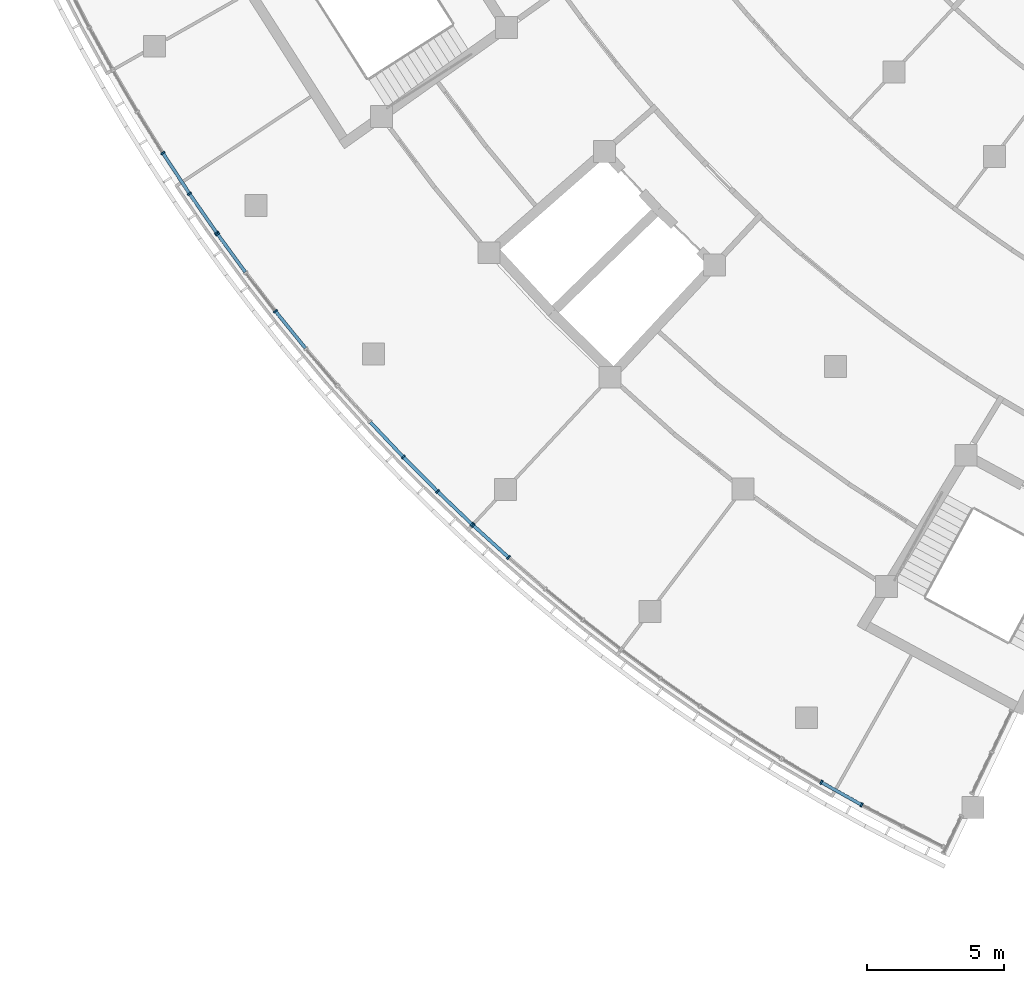
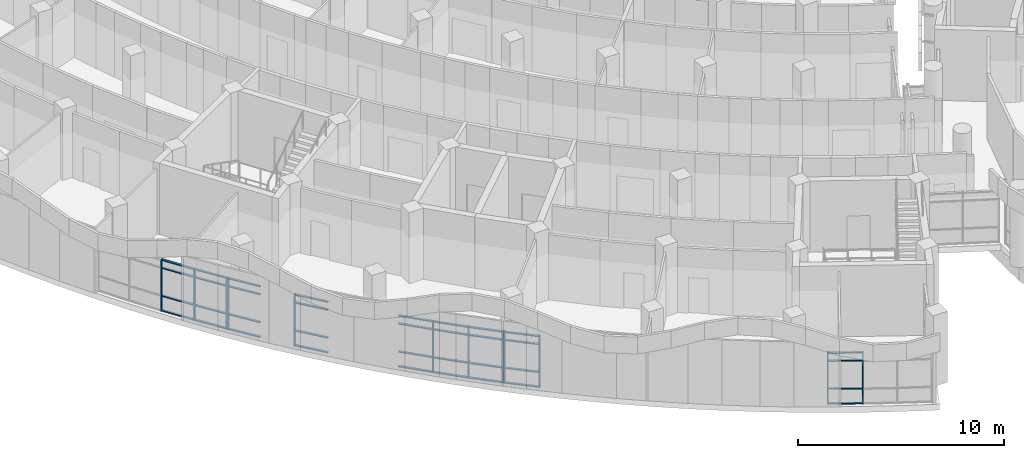
# One storey, part 5 of 109: 48 members, 5 elements without a shape of their own.
"""IFC4 building model written with IfcOpenShell, lengths in metres."""

from ifc_helpers import new_model, si_unit, direction, frame, origin, origin_2d, place, context, subcontext, project, spatial, rectangle, extrude, material, material_profile, profile_set, type_object, element, aggregate, save


model = new_model("IFC4")

# Units and contexts
model_context = context("Model", 3, precision=1e-05, world=origin(), true_north=direction((0.0, 1.0)))
body_context = subcontext(model_context, "Body", "Model", "MODEL_VIEW")
ifc_project = project(units=[si_unit("LENGTHUNIT", "METRE"), si_unit("AREAUNIT", "SQUARE_METRE"), si_unit("VOLUMEUNIT", "CUBIC_METRE"), si_unit("PLANEANGLEUNIT", "RADIAN"), si_unit("MASSUNIT", "GRAM", prefix="KILO")], contexts=[model_context])

# Site, building, storey
site_placement = place(None, origin())
site = spatial("IfcSite", under=ifc_project, at=site_placement, CompositionType="ELEMENT")
building_placement = place(site_placement, origin())
building = spatial("IfcBuilding", under=site, at=building_placement, Name="Bougainvillea Quay General Hospital", CompositionType="ELEMENT")
storey_placement = place(building_placement, frame((0.0, 0.0, 12.60009765625)))
storey = spatial("IfcBuildingStorey", under=building, at=storey_placement, Name="L02", CompositionType="ELEMENT", Elevation=12.60009765625)

# Curtain wall, members
ifc_material_1 = material(Name="Aluminium curtain wall system, powder-coated glazed", Category="aluminium")
curtain_wall_type = type_object("IfcCurtainWallType", Name="Unitised curtain wall CW-2100", PredefinedType="NOTDEFINED", material=ifc_material_1)
curtain_wall_1_placement = place(storey_placement, origin())
curtain_wall_1 = element("IfcCurtainWall", 1, at=curtain_wall_1_placement, inside=storey, type_object=curtain_wall_type, Name="CW-W01 a01b0", PredefinedType="NOTDEFINED")
ifc_material_2 = material(Name="Aluminium mullion, powder-coated charcoal", Category="aluminium")
ifc_material_profile_1 = material_profile(ifc_material_2, rectangle(XDim=0.159912109375, YDim=0.06005859375, at=origin_2d()))
ifc_profile_set_1 = profile_set([ifc_material_profile_1], Name="Aluminium mullion, powder-coated charcoal")
member_type_1 = type_object("IfcMemberType", Name="Curtain wall mullion 160x60", PredefinedType="MULLION", material=ifc_profile_set_1)
member_1_placement = place(storey_placement, frame((75.869873046875, 64.728759765625, 0.0), z_axis=(0.0, 0.0, 1.0), x_axis=(-0.477852269892, -0.878440213195, 0.0)))
member_1 = element("IfcMember", 2, at=member_1_placement, type_object=member_type_1, Name="CW-W01 mullion 3", PredefinedType="MULLION", context=body_context, shape_type="SweptSolid", body=[
    extrude(rectangle(XDim=0.159912109375, YDim=0.06005859375, at=origin_2d()), origin(), (0.0, 0.0, 1.0), 3.0498046875),
])
member_2_placement = place(storey_placement, frame((74.400390625, 65.55126953125, 0.0), z_axis=(0.0, 0.0, 1.0), x_axis=(-0.498920583541, -0.866647708887, 0.0)))
member_2 = element("IfcMember", 3, at=member_2_placement, type_object=member_type_1, Name="CW-W01 mullion 4", PredefinedType="MULLION", context=body_context, shape_type="SweptSolid", body=[
    extrude(rectangle(XDim=0.159912109375, YDim=0.06005859375, at=origin_2d()), origin(), (0.0, 0.0, 1.0), 3.0498046875),
])

curtain_wall_2_placement = place(storey_placement, origin())
curtain_wall_2 = element("IfcCurtainWall", 4, at=curtain_wall_2_placement, inside=storey, type_object=curtain_wall_type, Name="CW-W03 a01b2", PredefinedType="NOTDEFINED")
member_3_placement = place(storey_placement, frame((62.997802734375, 73.74658203125, 0.0), z_axis=(0.0, 0.0, 1.0), x_axis=(-0.662397799417, -0.749152291145, 0.0)))
member_3 = element("IfcMember", 5, at=member_3_placement, type_object=member_type_1, Name="CW-W03 mullion 4", PredefinedType="MULLION", context=body_context, shape_type="SweptSolid", body=[
    extrude(rectangle(XDim=0.159912109375, YDim=0.06005859375, at=origin_2d()), origin(), (0.0, 0.0, 1.0), 3.0498046875),
])
member_4_placement = place(storey_placement, frame((61.7099609375, 74.914794921875, 0.0), z_axis=(0.0, 0.0, 1.0), x_axis=(-0.671843410143, -0.740693210613, 0.0)))
member_4 = element("IfcMember", 6, at=member_4_placement, type_object=member_type_1, Name="CW-W03 mullion 5", PredefinedType="MULLION", context=body_context, shape_type="SweptSolid", body=[
    extrude(rectangle(XDim=0.159912109375, YDim=0.06005859375, at=origin_2d()), origin(), (0.0, 0.0, 1.0), 3.0498046875),
])

curtain_wall_3_placement = place(storey_placement, origin())
curtain_wall_3 = element("IfcCurtainWall", 7, at=curtain_wall_3_placement, inside=storey, type_object=curtain_wall_type, Name="CW-W04 a01b3", PredefinedType="NOTDEFINED")
member_5_placement = place(storey_placement, frame((61.666015625, 74.955810546875, 0.0), z_axis=(0.0, 0.0, 1.0), x_axis=(-0.690409082244, -0.72341917251, 0.0)))
member_5 = element("IfcMember", 8, at=member_5_placement, type_object=member_type_1, Name="CW-W04 mullion 1", PredefinedType="MULLION", context=body_context, shape_type="SweptSolid", body=[
    extrude(rectangle(XDim=0.159912109375, YDim=0.06005859375, at=origin_2d()), origin(), (0.0, 0.0, 1.0), 3.0498046875),
])
member_6_placement = place(storey_placement, frame((60.407958984375, 76.15625, 0.0), z_axis=(0.0, 0.0, 1.0), x_axis=(-0.699526158712, -0.714606992183, 0.0)))
member_6 = element("IfcMember", 9, at=member_6_placement, type_object=member_type_1, Name="CW-W04 mullion 2", PredefinedType="MULLION", context=body_context, shape_type="SweptSolid", body=[
    extrude(rectangle(XDim=0.159912109375, YDim=0.06005859375, at=origin_2d()), origin(), (0.0, 0.0, 1.0), 3.0498046875),
])
member_7_placement = place(storey_placement, frame((59.159912109375, 77.409423828125, 0.0), z_axis=(0.0, 0.0, 1.0), x_axis=(-0.717421463702, -0.69663939267, 0.0)))
member_7 = element("IfcMember", 10, at=member_7_placement, type_object=member_type_1, Name="CW-W04 mullion 3", PredefinedType="MULLION", context=body_context, shape_type="SweptSolid", body=[
    extrude(rectangle(XDim=0.159912109375, YDim=0.06005859375, at=origin_2d()), origin(), (0.0, 0.0, 1.0), 3.0498046875),
])

curtain_wall_4_placement = place(storey_placement, origin())
curtain_wall_4 = element("IfcCurtainWall", 11, at=curtain_wall_4_placement, inside=storey, type_object=curtain_wall_type, Name="CW-W05 a01b4", PredefinedType="NOTDEFINED")
member_8_placement = place(storey_placement, frame((54.49658203125, 82.7265625, 0.0), z_axis=(0.0, 0.0, 1.0), x_axis=(-0.784278527167, -0.620408890833, 0.0)))
member_8 = element("IfcMember", 12, at=member_8_placement, type_object=member_type_1, Name="CW-W05 mullion 3", PredefinedType="MULLION", context=body_context, shape_type="SweptSolid", body=[
    extrude(rectangle(XDim=0.159912109375, YDim=0.06005859375, at=origin_2d()), origin(), (0.0, 0.0, 1.0), 3.0498046875),
])
member_9_placement = place(storey_placement, frame((52.390869140625, 85.53125, 0.0), z_axis=(0.0, 0.0, 1.0), x_axis=(-0.807305492643, -0.590133748864, 0.0)))
member_9 = element("IfcMember", 13, at=member_9_placement, type_object=member_type_1, Name="CW-W05 mullion 5", PredefinedType="MULLION", context=body_context, shape_type="SweptSolid", body=[
    extrude(rectangle(XDim=0.159912109375, YDim=0.06005859375, at=origin_2d()), origin(), (0.0, 0.0, 1.0), 3.0498046875),
])

curtain_wall_5_placement = place(storey_placement, origin())
curtain_wall_5 = element("IfcCurtainWall", 14, at=curtain_wall_5_placement, inside=storey, type_object=curtain_wall_type, Name="CW-W06 a01b5", PredefinedType="NOTDEFINED")
member_10_placement = place(storey_placement, frame((52.35595703125, 85.580078125, 0.0), z_axis=(0.0, 0.0, 1.0), x_axis=(-0.822009884883, -0.569473220753, 0.0)))
member_10 = element("IfcMember", 15, at=member_10_placement, type_object=member_type_1, Name="CW-W06 mullion 1", PredefinedType="MULLION", context=body_context, shape_type="SweptSolid", body=[
    extrude(rectangle(XDim=0.159912109375, YDim=0.06005859375, at=origin_2d()), origin(), (0.0, 0.0, 1.0), 3.0498046875),
])
member_11_placement = place(storey_placement, frame((51.36572265625, 87.009521484375, 0.0), z_axis=(0.0, 0.0, 1.0), x_axis=(-0.82916442806, -0.55900478642, 0.0)))
member_11 = element("IfcMember", 16, at=member_11_placement, type_object=member_type_1, Name="CW-W06 mullion 2", PredefinedType="MULLION", context=body_context, shape_type="SweptSolid", body=[
    extrude(rectangle(XDim=0.159912109375, YDim=0.06005859375, at=origin_2d()), origin(), (0.0, 0.0, 1.0), 3.0498046875),
])
member_12_placement = place(storey_placement, frame((50.395751953125, 88.488525390625, 0.0), z_axis=(0.0, 0.0, 1.0), x_axis=(-0.843072457331, -0.537799992275, 0.0)))
member_12 = element("IfcMember", 17, at=member_12_placement, type_object=member_type_1, Name="CW-W06 mullion 3", PredefinedType="MULLION", context=body_context, shape_type="SweptSolid", body=[
    extrude(rectangle(XDim=0.159912109375, YDim=0.06005859375, at=origin_2d()), origin(), (0.0, 0.0, 1.0), 3.0498046875),
])

# Member
ifc_material_3 = material(Name="Aluminium transom, powder-coated charcoal", Category="aluminium")
ifc_material_profile_2 = material_profile(ifc_material_3, rectangle(XDim=0.1201171875, YDim=0.06005859375, at=origin_2d()))
ifc_profile_set_2 = profile_set([ifc_material_profile_2], Name="Aluminium transom, powder-coated charcoal")
member_type_2 = type_object("IfcMemberType", Name="Curtain wall transom 120x60", PredefinedType="USERDEFINED", material=ifc_profile_set_2)
member_13_placement = place(storey_placement, frame((75.84375, 64.743408203125, 0.02978515625), z_axis=(-0.872621342538, 0.48839737156, 0.0), x_axis=(-0.48839737156, -0.872621342538, 0.0)))
member_13 = element("IfcMember", 18, at=member_13_placement, type_object=member_type_2, Name="CW-W01 transom 3.1", ObjectType="TRANSOM", PredefinedType="USERDEFINED", context=body_context, shape_type="SweptSolid", body=[
    extrude(rectangle(XDim=0.1201171875, YDim=0.06005859375, at=origin_2d()), origin(), (0.0, 0.0, 1.0), 1.6240234375),
])

member_14_placement = place(storey_placement, frame((75.84375, 64.743408203125, 0.89990234375), z_axis=(-0.872621342538, 0.48839737156, 0.0), x_axis=(-0.48839737156, -0.872621342538, 0.0)))
member_14 = element("IfcMember", 19, at=member_14_placement, type_object=member_type_2, Name="CW-W01 transom 3.2", ObjectType="TRANSOM", PredefinedType="USERDEFINED", context=body_context, shape_type="SweptSolid", body=[
    extrude(rectangle(XDim=0.1201171875, YDim=0.06005859375, at=origin_2d()), origin(), (0.0, 0.0, 1.0), 1.6240234375),
])

member_15_placement = place(storey_placement, frame((75.84375, 64.743408203125, 2.5498046875), z_axis=(-0.872621342538, 0.48839737156, 0.0), x_axis=(-0.48839737156, -0.872621342538, 0.0)))
member_15 = element("IfcMember", 20, at=member_15_placement, type_object=member_type_2, Name="CW-W01 transom 3.3", ObjectType="TRANSOM", PredefinedType="USERDEFINED", context=body_context, shape_type="SweptSolid", body=[
    extrude(rectangle(XDim=0.1201171875, YDim=0.06005859375, at=origin_2d()), origin(), (0.0, 0.0, 1.0), 1.6240234375),
])

member_16_placement = place(storey_placement, frame((75.84375, 64.743408203125, 3.02001953125), z_axis=(-0.872621342538, 0.48839737156, 0.0), x_axis=(-0.48839737156, -0.872621342538, 0.0)))
member_16 = element("IfcMember", 21, at=member_16_placement, type_object=member_type_2, Name="CW-W01 transom 3.4", ObjectType="TRANSOM", PredefinedType="USERDEFINED", context=body_context, shape_type="SweptSolid", body=[
    extrude(rectangle(XDim=0.1201171875, YDim=0.06005859375, at=origin_2d()), origin(), (0.0, 0.0, 1.0), 1.6240234375),
])

aggregate(curtain_wall_1, [member_1, member_2, member_13, member_14, member_15, member_16])

member_17_placement = place(storey_placement, frame((62.9755859375, 73.766845703125, 0.02978515625), z_axis=(-0.740663493484, 0.671876171195, 0.0), x_axis=(-0.671876171195, -0.740663493484, 0.0)))
member_17 = element("IfcMember", 22, at=member_17_placement, type_object=member_type_2, Name="CW-W03 transom 4.1", ObjectType="TRANSOM", PredefinedType="USERDEFINED", context=body_context, shape_type="SweptSolid", body=[
    extrude(rectangle(XDim=0.1201171875, YDim=0.06005859375, at=origin_2d()), origin(), (0.0, 0.0, 1.0), 1.6787109375),
])

member_18_placement = place(storey_placement, frame((62.9755859375, 73.766845703125, 0.89990234375), z_axis=(-0.740663493484, 0.671876171195, 0.0), x_axis=(-0.671876171195, -0.740663493484, 0.0)))
member_18 = element("IfcMember", 23, at=member_18_placement, type_object=member_type_2, Name="CW-W03 transom 4.2", ObjectType="TRANSOM", PredefinedType="USERDEFINED", context=body_context, shape_type="SweptSolid", body=[
    extrude(rectangle(XDim=0.1201171875, YDim=0.06005859375, at=origin_2d()), origin(), (0.0, 0.0, 1.0), 1.6787109375),
])

member_19_placement = place(storey_placement, frame((62.9755859375, 73.766845703125, 2.5498046875), z_axis=(-0.740663493484, 0.671876171195, 0.0), x_axis=(-0.671876171195, -0.740663493484, 0.0)))
member_19 = element("IfcMember", 24, at=member_19_placement, type_object=member_type_2, Name="CW-W03 transom 4.3", ObjectType="TRANSOM", PredefinedType="USERDEFINED", context=body_context, shape_type="SweptSolid", body=[
    extrude(rectangle(XDim=0.1201171875, YDim=0.06005859375, at=origin_2d()), origin(), (0.0, 0.0, 1.0), 1.6787109375),
])

member_20_placement = place(storey_placement, frame((62.9755859375, 73.766845703125, 3.02001953125), z_axis=(-0.740663493484, 0.671876171195, 0.0), x_axis=(-0.671876171195, -0.740663493484, 0.0)))
member_20 = element("IfcMember", 25, at=member_20_placement, type_object=member_type_2, Name="CW-W03 transom 4.4", ObjectType="TRANSOM", PredefinedType="USERDEFINED", context=body_context, shape_type="SweptSolid", body=[
    extrude(rectangle(XDim=0.1201171875, YDim=0.06005859375, at=origin_2d()), origin(), (0.0, 0.0, 1.0), 1.6787109375),
])

aggregate(curtain_wall_2, [member_3, member_4, member_17, member_18, member_19, member_20])

member_21_placement = place(storey_placement, frame((61.644287109375, 74.976318359375, 0.02978515625), z_axis=(-0.723418264264, 0.690410033914, 0.0), x_axis=(-0.690410033914, -0.723418264264, 0.0)))
member_21 = element("IfcMember", 26, at=member_21_placement, type_object=member_type_2, Name="CW-W04 transom 1.1", ObjectType="TRANSOM", PredefinedType="USERDEFINED", context=body_context, shape_type="SweptSolid", body=[
    extrude(rectangle(XDim=0.1201171875, YDim=0.06005859375, at=origin_2d()), origin(), (0.0, 0.0, 1.0), 1.678955078125),
])

member_22_placement = place(storey_placement, frame((61.644287109375, 74.976318359375, 0.89990234375), z_axis=(-0.723418264264, 0.690410033914, 0.0), x_axis=(-0.690410033914, -0.723418264264, 0.0)))
member_22 = element("IfcMember", 27, at=member_22_placement, type_object=member_type_2, Name="CW-W04 transom 1.2", ObjectType="TRANSOM", PredefinedType="USERDEFINED", context=body_context, shape_type="SweptSolid", body=[
    extrude(rectangle(XDim=0.1201171875, YDim=0.06005859375, at=origin_2d()), origin(), (0.0, 0.0, 1.0), 1.678955078125),
])

member_23_placement = place(storey_placement, frame((61.644287109375, 74.976318359375, 2.5498046875), z_axis=(-0.723418264264, 0.690410033914, 0.0), x_axis=(-0.690410033914, -0.723418264264, 0.0)))
member_23 = element("IfcMember", 28, at=member_23_placement, type_object=member_type_2, Name="CW-W04 transom 1.3", ObjectType="TRANSOM", PredefinedType="USERDEFINED", context=body_context, shape_type="SweptSolid", body=[
    extrude(rectangle(XDim=0.1201171875, YDim=0.06005859375, at=origin_2d()), origin(), (0.0, 0.0, 1.0), 1.678955078125),
])

member_24_placement = place(storey_placement, frame((61.644287109375, 74.976318359375, 3.02001953125), z_axis=(-0.723418264264, 0.690410033914, 0.0), x_axis=(-0.690410033914, -0.723418264264, 0.0)))
member_24 = element("IfcMember", 29, at=member_24_placement, type_object=member_type_2, Name="CW-W04 transom 1.4", ObjectType="TRANSOM", PredefinedType="USERDEFINED", context=body_context, shape_type="SweptSolid", body=[
    extrude(rectangle(XDim=0.1201171875, YDim=0.06005859375, at=origin_2d()), origin(), (0.0, 0.0, 1.0), 1.678955078125),
])

member_25_placement = place(storey_placement, frame((60.386962890625, 76.177490234375, 0.02978515625), z_axis=(-0.705676553405, 0.708534121955, 0.0), x_axis=(-0.708534121955, -0.705676553405, 0.0)))
member_25 = element("IfcMember", 30, at=member_25_placement, type_object=member_type_2, Name="CW-W04 transom 2.1", ObjectType="TRANSOM", PredefinedType="USERDEFINED", context=body_context, shape_type="SweptSolid", body=[
    extrude(rectangle(XDim=0.1201171875, YDim=0.06005859375, at=origin_2d()), origin(), (0.0, 0.0, 1.0), 1.708740234375),
])

member_26_placement = place(storey_placement, frame((60.386962890625, 76.177490234375, 0.89990234375), z_axis=(-0.705676553405, 0.708534121955, 0.0), x_axis=(-0.708534121955, -0.705676553405, 0.0)))
member_26 = element("IfcMember", 31, at=member_26_placement, type_object=member_type_2, Name="CW-W04 transom 2.2", ObjectType="TRANSOM", PredefinedType="USERDEFINED", context=body_context, shape_type="SweptSolid", body=[
    extrude(rectangle(XDim=0.1201171875, YDim=0.06005859375, at=origin_2d()), origin(), (0.0, 0.0, 1.0), 1.708740234375),
])

member_27_placement = place(storey_placement, frame((60.386962890625, 76.177490234375, 2.5498046875), z_axis=(-0.705676553405, 0.708534121955, 0.0), x_axis=(-0.708534121955, -0.705676553405, 0.0)))
member_27 = element("IfcMember", 32, at=member_27_placement, type_object=member_type_2, Name="CW-W04 transom 2.3", ObjectType="TRANSOM", PredefinedType="USERDEFINED", context=body_context, shape_type="SweptSolid", body=[
    extrude(rectangle(XDim=0.1201171875, YDim=0.06005859375, at=origin_2d()), origin(), (0.0, 0.0, 1.0), 1.708740234375),
])

member_28_placement = place(storey_placement, frame((60.386962890625, 76.177490234375, 3.02001953125), z_axis=(-0.705676553405, 0.708534121955, 0.0), x_axis=(-0.708534121955, -0.705676553405, 0.0)))
member_28 = element("IfcMember", 33, at=member_28_placement, type_object=member_type_2, Name="CW-W04 transom 2.4", ObjectType="TRANSOM", PredefinedType="USERDEFINED", context=body_context, shape_type="SweptSolid", body=[
    extrude(rectangle(XDim=0.1201171875, YDim=0.06005859375, at=origin_2d()), origin(), (0.0, 0.0, 1.0), 1.708740234375),
])

member_29_placement = place(storey_placement, frame((59.13916015625, 77.43115234375, 0.02978515625), z_axis=(-0.687483060128, 0.726200414512, 0.0), x_axis=(-0.726200414512, -0.687483060128, 0.0)))
member_29 = element("IfcMember", 34, at=member_29_placement, type_object=member_type_2, Name="CW-W04 transom 3.1", ObjectType="TRANSOM", PredefinedType="USERDEFINED", context=body_context, shape_type="SweptSolid", body=[
    extrude(rectangle(XDim=0.1201171875, YDim=0.06005859375, at=origin_2d()), origin(), (0.0, 0.0, 1.0), 1.708740234375),
])

member_30_placement = place(storey_placement, frame((59.13916015625, 77.43115234375, 0.89990234375), z_axis=(-0.687483060128, 0.726200414512, 0.0), x_axis=(-0.726200414512, -0.687483060128, 0.0)))
member_30 = element("IfcMember", 35, at=member_30_placement, type_object=member_type_2, Name="CW-W04 transom 3.2", ObjectType="TRANSOM", PredefinedType="USERDEFINED", context=body_context, shape_type="SweptSolid", body=[
    extrude(rectangle(XDim=0.1201171875, YDim=0.06005859375, at=origin_2d()), origin(), (0.0, 0.0, 1.0), 1.708740234375),
])

member_31_placement = place(storey_placement, frame((59.13916015625, 77.43115234375, 2.5498046875), z_axis=(-0.687483060128, 0.726200414512, 0.0), x_axis=(-0.726200414512, -0.687483060128, 0.0)))
member_31 = element("IfcMember", 36, at=member_31_placement, type_object=member_type_2, Name="CW-W04 transom 3.3", ObjectType="TRANSOM", PredefinedType="USERDEFINED", context=body_context, shape_type="SweptSolid", body=[
    extrude(rectangle(XDim=0.1201171875, YDim=0.06005859375, at=origin_2d()), origin(), (0.0, 0.0, 1.0), 1.708740234375),
])

member_32_placement = place(storey_placement, frame((59.13916015625, 77.43115234375, 3.02001953125), z_axis=(-0.687483060128, 0.726200414512, 0.0), x_axis=(-0.726200414512, -0.687483060128, 0.0)))
member_32 = element("IfcMember", 37, at=member_32_placement, type_object=member_type_2, Name="CW-W04 transom 3.4", ObjectType="TRANSOM", PredefinedType="USERDEFINED", context=body_context, shape_type="SweptSolid", body=[
    extrude(rectangle(XDim=0.1201171875, YDim=0.06005859375, at=origin_2d()), origin(), (0.0, 0.0, 1.0), 1.708740234375),
])

aggregate(curtain_wall_3, [member_5, member_6, member_7, member_21, member_22, member_23, member_24, member_25, member_26, member_27, member_28, member_29, member_30, member_31, member_32])

member_33_placement = place(storey_placement, frame((55.592529296875, 81.37646484375, 0.02978515625), z_axis=(-0.630323663485, 0.776332454075, 0.0), x_axis=(-0.776332454075, -0.630323663485, 0.0)))
member_33 = element("IfcMember", 38, at=member_33_placement, type_object=member_type_2, Name="CW-W05 transom 2.1", ObjectType="TRANSOM", PredefinedType="USERDEFINED", context=body_context, shape_type="SweptSolid", body=[
    extrude(rectangle(XDim=0.1201171875, YDim=0.06005859375, at=origin_2d()), origin(), (0.0, 0.0, 1.0), 1.708984375),
])

member_34_placement = place(storey_placement, frame((55.592529296875, 81.37646484375, 0.89990234375), z_axis=(-0.630323663485, 0.776332454075, 0.0), x_axis=(-0.776332454075, -0.630323663485, 0.0)))
member_34 = element("IfcMember", 39, at=member_34_placement, type_object=member_type_2, Name="CW-W05 transom 2.2", ObjectType="TRANSOM", PredefinedType="USERDEFINED", context=body_context, shape_type="SweptSolid", body=[
    extrude(rectangle(XDim=0.1201171875, YDim=0.06005859375, at=origin_2d()), origin(), (0.0, 0.0, 1.0), 1.708984375),
])

member_35_placement = place(storey_placement, frame((55.592529296875, 81.37646484375, 2.5498046875), z_axis=(-0.630323663485, 0.776332454075, 0.0), x_axis=(-0.776332454075, -0.630323663485, 0.0)))
member_35 = element("IfcMember", 40, at=member_35_placement, type_object=member_type_2, Name="CW-W05 transom 2.3", ObjectType="TRANSOM", PredefinedType="USERDEFINED", context=body_context, shape_type="SweptSolid", body=[
    extrude(rectangle(XDim=0.1201171875, YDim=0.06005859375, at=origin_2d()), origin(), (0.0, 0.0, 1.0), 1.708984375),
])

member_36_placement = place(storey_placement, frame((55.592529296875, 81.37646484375, 3.02001953125), z_axis=(-0.630323663485, 0.776332454075, 0.0), x_axis=(-0.776332454075, -0.630323663485, 0.0)))
member_36 = element("IfcMember", 41, at=member_36_placement, type_object=member_type_2, Name="CW-W05 transom 2.4", ObjectType="TRANSOM", PredefinedType="USERDEFINED", context=body_context, shape_type="SweptSolid", body=[
    extrude(rectangle(XDim=0.1201171875, YDim=0.06005859375, at=origin_2d()), origin(), (0.0, 0.0, 1.0), 1.708984375),
])

member_37_placement = place(storey_placement, frame((53.399169921875, 84.15185546875, 0.02978515625), z_axis=(-0.590158785572, 0.807287190417, 0.0), x_axis=(-0.807287190417, -0.590158785572, 0.0)))
member_37 = element("IfcMember", 42, at=member_37_placement, type_object=member_type_2, Name="CW-W05 transom 4.1", ObjectType="TRANSOM", PredefinedType="USERDEFINED", context=body_context, shape_type="SweptSolid", body=[
    extrude(rectangle(XDim=0.1201171875, YDim=0.06005859375, at=origin_2d()), origin(), (0.0, 0.0, 1.0), 1.6787109375),
])

member_38_placement = place(storey_placement, frame((53.399169921875, 84.15185546875, 0.89990234375), z_axis=(-0.590158785572, 0.807287190417, 0.0), x_axis=(-0.807287190417, -0.590158785572, 0.0)))
member_38 = element("IfcMember", 43, at=member_38_placement, type_object=member_type_2, Name="CW-W05 transom 4.2", ObjectType="TRANSOM", PredefinedType="USERDEFINED", context=body_context, shape_type="SweptSolid", body=[
    extrude(rectangle(XDim=0.1201171875, YDim=0.06005859375, at=origin_2d()), origin(), (0.0, 0.0, 1.0), 1.6787109375),
])

member_39_placement = place(storey_placement, frame((53.399169921875, 84.15185546875, 2.5498046875), z_axis=(-0.590158785572, 0.807287190417, 0.0), x_axis=(-0.807287190417, -0.590158785572, 0.0)))
member_39 = element("IfcMember", 44, at=member_39_placement, type_object=member_type_2, Name="CW-W05 transom 4.3", ObjectType="TRANSOM", PredefinedType="USERDEFINED", context=body_context, shape_type="SweptSolid", body=[
    extrude(rectangle(XDim=0.1201171875, YDim=0.06005859375, at=origin_2d()), origin(), (0.0, 0.0, 1.0), 1.6787109375),
])

member_40_placement = place(storey_placement, frame((53.399169921875, 84.15185546875, 3.02001953125), z_axis=(-0.590158785572, 0.807287190417, 0.0), x_axis=(-0.807287190417, -0.590158785572, 0.0)))
member_40 = element("IfcMember", 45, at=member_40_placement, type_object=member_type_2, Name="CW-W05 transom 4.4", ObjectType="TRANSOM", PredefinedType="USERDEFINED", context=body_context, shape_type="SweptSolid", body=[
    extrude(rectangle(XDim=0.1201171875, YDim=0.06005859375, at=origin_2d()), origin(), (0.0, 0.0, 1.0), 1.6787109375),
])

aggregate(curtain_wall_4, [member_8, member_9, member_33, member_34, member_35, member_36, member_37, member_38, member_39, member_40])

member_41_placement = place(storey_placement, frame((52.3388671875, 85.604736328125, 0.02978515625), z_axis=(-0.569444364357, 0.82202987531, 0.0), x_axis=(-0.82202987531, -0.569444364357, 0.0)))
member_41 = element("IfcMember", 46, at=member_41_placement, type_object=member_type_2, Name="CW-W06 transom 1.1", ObjectType="TRANSOM", PredefinedType="USERDEFINED", context=body_context, shape_type="SweptSolid", body=[
    extrude(rectangle(XDim=0.1201171875, YDim=0.06005859375, at=origin_2d()), origin(), (0.0, 0.0, 1.0), 1.678955078125),
])

member_42_placement = place(storey_placement, frame((52.3388671875, 85.604736328125, 0.89990234375), z_axis=(-0.569444364357, 0.82202987531, 0.0), x_axis=(-0.82202987531, -0.569444364357, 0.0)))
member_42 = element("IfcMember", 47, at=member_42_placement, type_object=member_type_2, Name="CW-W06 transom 1.2", ObjectType="TRANSOM", PredefinedType="USERDEFINED", context=body_context, shape_type="SweptSolid", body=[
    extrude(rectangle(XDim=0.1201171875, YDim=0.06005859375, at=origin_2d()), origin(), (0.0, 0.0, 1.0), 1.678955078125),
])

member_43_placement = place(storey_placement, frame((52.3388671875, 85.604736328125, 2.5498046875), z_axis=(-0.569444364357, 0.82202987531, 0.0), x_axis=(-0.82202987531, -0.569444364357, 0.0)))
member_43 = element("IfcMember", 48, at=member_43_placement, type_object=member_type_2, Name="CW-W06 transom 1.3", ObjectType="TRANSOM", PredefinedType="USERDEFINED", context=body_context, shape_type="SweptSolid", body=[
    extrude(rectangle(XDim=0.1201171875, YDim=0.06005859375, at=origin_2d()), origin(), (0.0, 0.0, 1.0), 1.678955078125),
])

member_44_placement = place(storey_placement, frame((52.3388671875, 85.604736328125, 3.02001953125), z_axis=(-0.569444364357, 0.82202987531, 0.0), x_axis=(-0.82202987531, -0.569444364357, 0.0)))
member_44 = element("IfcMember", 49, at=member_44_placement, type_object=member_type_2, Name="CW-W06 transom 1.4", ObjectType="TRANSOM", PredefinedType="USERDEFINED", context=body_context, shape_type="SweptSolid", body=[
    extrude(rectangle(XDim=0.1201171875, YDim=0.06005859375, at=origin_2d()), origin(), (0.0, 0.0, 1.0), 1.678955078125),
])

member_45_placement = place(storey_placement, frame((51.349365234375, 87.034423828125, 0.02978515625), z_axis=(-0.548453588198, 0.836180998105, 0.0), x_axis=(-0.836180998105, -0.548453588198, 0.0)))
member_45 = element("IfcMember", 50, at=member_45_placement, type_object=member_type_2, Name="CW-W06 transom 2.1", ObjectType="TRANSOM", PredefinedType="USERDEFINED", context=body_context, shape_type="SweptSolid", body=[
    extrude(rectangle(XDim=0.1201171875, YDim=0.06005859375, at=origin_2d()), origin(), (0.0, 0.0, 1.0), 1.708984375),
])

member_46_placement = place(storey_placement, frame((51.349365234375, 87.034423828125, 0.89990234375), z_axis=(-0.548453588198, 0.836180998105, 0.0), x_axis=(-0.836180998105, -0.548453588198, 0.0)))
member_46 = element("IfcMember", 51, at=member_46_placement, type_object=member_type_2, Name="CW-W06 transom 2.2", ObjectType="TRANSOM", PredefinedType="USERDEFINED", context=body_context, shape_type="SweptSolid", body=[
    extrude(rectangle(XDim=0.1201171875, YDim=0.06005859375, at=origin_2d()), origin(), (0.0, 0.0, 1.0), 1.708984375),
])

member_47_placement = place(storey_placement, frame((51.349365234375, 87.034423828125, 2.5498046875), z_axis=(-0.548453588198, 0.836180998105, 0.0), x_axis=(-0.836180998105, -0.548453588198, 0.0)))
member_47 = element("IfcMember", 52, at=member_47_placement, type_object=member_type_2, Name="CW-W06 transom 2.3", ObjectType="TRANSOM", PredefinedType="USERDEFINED", context=body_context, shape_type="SweptSolid", body=[
    extrude(rectangle(XDim=0.1201171875, YDim=0.06005859375, at=origin_2d()), origin(), (0.0, 0.0, 1.0), 1.708984375),
])

member_48_placement = place(storey_placement, frame((51.349365234375, 87.034423828125, 3.02001953125), z_axis=(-0.548453588198, 0.836180998105, 0.0), x_axis=(-0.836180998105, -0.548453588198, 0.0)))
member_48 = element("IfcMember", 53, at=member_48_placement, type_object=member_type_2, Name="CW-W06 transom 2.4", ObjectType="TRANSOM", PredefinedType="USERDEFINED", context=body_context, shape_type="SweptSolid", body=[
    extrude(rectangle(XDim=0.1201171875, YDim=0.06005859375, at=origin_2d()), origin(), (0.0, 0.0, 1.0), 1.708984375),
])

aggregate(curtain_wall_5, [member_10, member_11, member_12, member_41, member_42, member_43, member_44, member_45, member_46, member_47, member_48])

save(model, "model.ifc")
